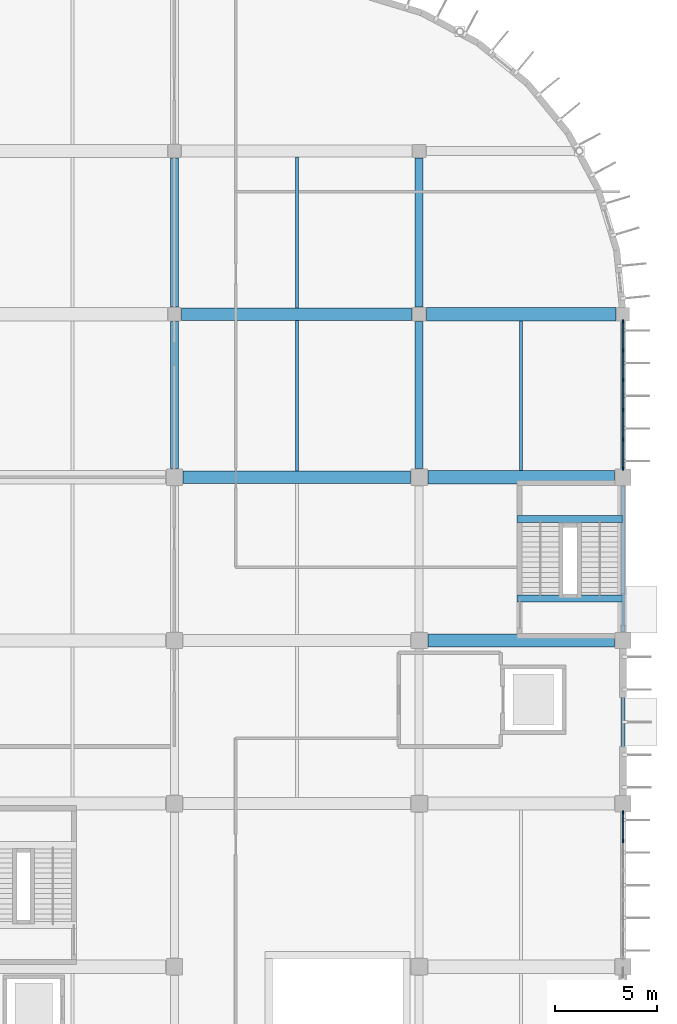
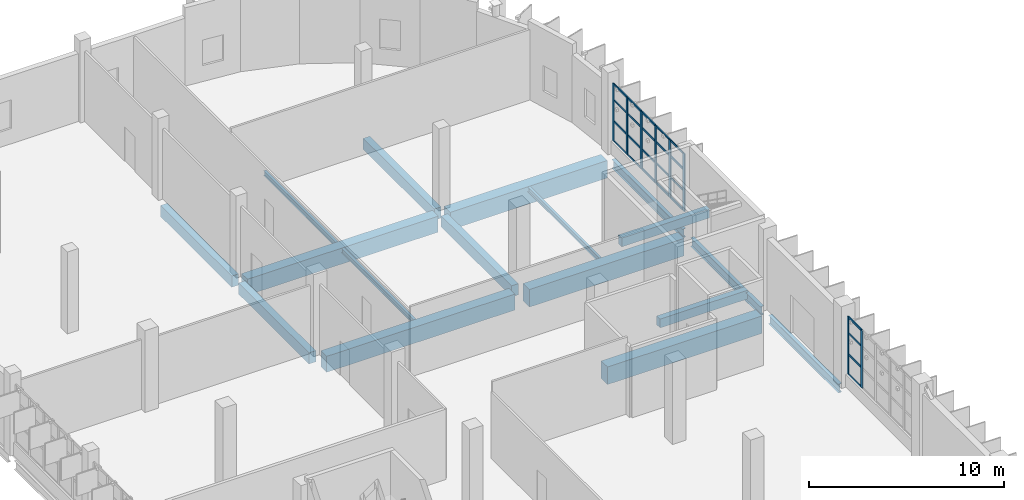
# One storey, part 50 of 103: 32 members, 17 beams, 2 elements without a shape of their own.
"""IFC4 building model written with IfcOpenShell, lengths in metres."""

from ifc_helpers import new_model, si_unit, direction, frame, origin, origin_2d, place, context, subcontext, project, spatial, rectangle, i_section, extrude, material, layer, layer_set, material_profile, profile_set, type_object, element, aggregate, save


model = new_model("IFC4")

# Units and contexts
model_context = context("Model", 3, precision=1e-05, world=origin(), true_north=direction((0.0, 1.0)))
body_context = subcontext(model_context, "Body", "Model", "MODEL_VIEW")
ifc_project = project(units=[si_unit("LENGTHUNIT", "METRE"), si_unit("AREAUNIT", "SQUARE_METRE"), si_unit("VOLUMEUNIT", "CUBIC_METRE"), si_unit("PLANEANGLEUNIT", "RADIAN"), si_unit("MASSUNIT", "GRAM", prefix="KILO")], contexts=[model_context])

# Site, building, storey
site_placement = place(None, origin())
site = spatial("IfcSite", under=ifc_project, at=site_placement, CompositionType="ELEMENT")
building_placement = place(site_placement, origin())
building = spatial("IfcBuilding", under=site, at=building_placement, Name="Drelvana Railside Aquatics Centre", CompositionType="ELEMENT")
storey_placement = place(building_placement, origin())
storey = spatial("IfcBuildingStorey", under=building, at=storey_placement, Name="L00", CompositionType="ELEMENT", Elevation=0.0)

# Curtain wall, members
ifc_material_1 = material(Name="Bronze-anodised aluminium curtain wall", Category="aluminium")
ifc_layer = layer(ifc_material_1, 0.175048828125, Name="Bronze-anodised aluminium curtain wall")
ifc_layer_set = layer_set([ifc_layer], Name="Bronze-anodised aluminium curtain wall")
curtain_wall_type = type_object("IfcCurtainWallType", Name="CW-Z6-WING", PredefinedType="NOTDEFINED", material=ifc_layer_set)
curtain_wall_1_placement = place(storey_placement, origin())
curtain_wall_1 = element("IfcCurtainWall", 1, at=curtain_wall_1_placement, inside=storey, type_object=curtain_wall_type, Name="Curtain wall CW-06-175", PredefinedType="NOTDEFINED")
ifc_material_2 = material(Name="Bronze-anodised aluminium 6063-T6", Category="aluminium")
ifc_material_profile_1 = material_profile(ifc_material_2, rectangle(XDim=0.06494140625, YDim=0.175048828125, at=origin_2d()), Name="ALU-M 65x175")
ifc_profile_set_1 = profile_set([ifc_material_profile_1], Name="Bronze-anodised aluminium 6063-T6")
member_type_1 = type_object("IfcMemberType", Name="CW-Z6-WING-MUL", PredefinedType="MULLION", material=ifc_profile_set_1)
member_1_placement = place(storey_placement, frame((184.0, 62.16357421875, 0.7939453125), z_axis=(0.0, 0.0, 1.0), x_axis=(-1.0, 0.0, 0.0)))
member_1 = element("IfcMember", 2, at=member_1_placement, type_object=member_type_1, Name="CW-06 mullion 5", PredefinedType="MULLION", context=body_context, shape_type="SweptSolid", body=[
    extrude(rectangle(XDim=0.06494140625, YDim=0.175048828125, at=origin_2d()), origin(), (0.0, 0.0, 1.0), 3.60595703125),
])
member_2_placement = place(storey_placement, frame((184.0, 63.573486328125, 0.7939453125), z_axis=(0.0, 0.0, 1.0), x_axis=(-1.0, 0.0, 0.0)))
member_2 = element("IfcMember", 3, at=member_2_placement, type_object=member_type_1, Name="CW-06 mullion 6", PredefinedType="MULLION", context=body_context, shape_type="SweptSolid", body=[
    extrude(rectangle(XDim=0.06494140625, YDim=0.175048828125, at=origin_2d()), origin(), (0.0, 0.0, 1.0), 3.60595703125),
])

curtain_wall_2_placement = place(storey_placement, origin())
curtain_wall_2 = element("IfcCurtainWall", 4, at=curtain_wall_2_placement, inside=storey, type_object=curtain_wall_type, Name="Curtain wall CW-06-184", PredefinedType="NOTDEFINED")
member_3_placement = place(storey_placement, frame((184.0, 80.426513671875, 0.7939453125), z_axis=(0.0, 0.0, 1.0), x_axis=(-1.0, 0.0, 0.0)))
member_3 = element("IfcMember", 5, at=member_3_placement, type_object=member_type_1, Name="CW-06 mullion 1", PredefinedType="MULLION", context=body_context, shape_type="SweptSolid", body=[
    extrude(rectangle(XDim=0.06494140625, YDim=0.175048828125, at=origin_2d()), origin(), (0.0, 0.0, 1.0), 3.60595703125),
])
member_4_placement = place(storey_placement, frame((184.0, 81.851318359375, 0.7939453125), z_axis=(0.0, 0.0, 1.0), x_axis=(-1.0, 0.0, 0.0)))
member_4 = element("IfcMember", 6, at=member_4_placement, type_object=member_type_1, Name="CW-06 mullion 2", PredefinedType="MULLION", context=body_context, shape_type="SweptSolid", body=[
    extrude(rectangle(XDim=0.06494140625, YDim=0.175048828125, at=origin_2d()), origin(), (0.0, 0.0, 1.0), 3.60595703125),
])
member_5_placement = place(storey_placement, frame((184.0, 83.308837890625, 0.7939453125), z_axis=(0.0, 0.0, 1.0), x_axis=(-1.0, 0.0, 0.0)))
member_5 = element("IfcMember", 7, at=member_5_placement, type_object=member_type_1, Name="CW-06 mullion 3", PredefinedType="MULLION", context=body_context, shape_type="SweptSolid", body=[
    extrude(rectangle(XDim=0.06494140625, YDim=0.175048828125, at=origin_2d()), origin(), (0.0, 0.0, 1.0), 3.60595703125),
])
member_6_placement = place(storey_placement, frame((184.0, 84.76611328125, 0.7939453125), z_axis=(0.0, 0.0, 1.0), x_axis=(-1.0, 0.0, 0.0)))
member_6 = element("IfcMember", 8, at=member_6_placement, type_object=member_type_1, Name="CW-06 mullion 4", PredefinedType="MULLION", context=body_context, shape_type="SweptSolid", body=[
    extrude(rectangle(XDim=0.06494140625, YDim=0.175048828125, at=origin_2d()), origin(), (0.0, 0.0, 1.0), 3.60595703125),
])
member_7_placement = place(storey_placement, frame((184.0, 86.2236328125, 0.7939453125), z_axis=(0.0, 0.0, 1.0), x_axis=(-1.0, 0.0, 0.0)))
member_7 = element("IfcMember", 9, at=member_7_placement, type_object=member_type_1, Name="CW-06 mullion 5", PredefinedType="MULLION", context=body_context, shape_type="SweptSolid", body=[
    extrude(rectangle(XDim=0.06494140625, YDim=0.175048828125, at=origin_2d()), origin(), (0.0, 0.0, 1.0), 3.60595703125),
])
member_8_placement = place(storey_placement, frame((184.0, 87.6484375, 0.7939453125), z_axis=(0.0, 0.0, 1.0), x_axis=(-1.0, 0.0, 0.0)))
member_8 = element("IfcMember", 10, at=member_8_placement, type_object=member_type_1, Name="CW-06 mullion 6", PredefinedType="MULLION", context=body_context, shape_type="SweptSolid", body=[
    extrude(rectangle(XDim=0.06494140625, YDim=0.175048828125, at=origin_2d()), origin(), (0.0, 0.0, 1.0), 3.60595703125),
])

# Member
ifc_material_profile_2 = material_profile(ifc_material_2, rectangle(XDim=0.1201171875, YDim=0.06005859375, at=origin_2d()), Name="ALU-T 60x120")
ifc_profile_set_2 = profile_set([ifc_material_profile_2], Name="Bronze-anodised aluminium 6063-T6")
member_type_2 = type_object("IfcMemberType", Name="CW-Z6-WING-TRN", PredefinedType="USERDEFINED", material=ifc_profile_set_2)
member_9_placement = place(storey_placement, frame((184.0, 62.191162109375, 0.823974609375), z_axis=(0.0, 1.0, 0.0), x_axis=(0.0, 0.0, 1.0)))
member_9 = element("IfcMember", 11, at=member_9_placement, type_object=member_type_2, Name="CW-06 transom 5.1", ObjectType="TRANSOM", PredefinedType="USERDEFINED", context=body_context, shape_type="SweptSolid", body=[
    extrude(rectangle(XDim=0.1201171875, YDim=0.06005859375, at=origin_2d()), origin(), (0.0, 0.0, 1.0), 1.354736328125),
])

member_10_placement = place(storey_placement, frame((184.0, 62.191162109375, 2.055908203125), z_axis=(0.0, 1.0, 0.0), x_axis=(0.0, 0.0, 1.0)))
member_10 = element("IfcMember", 12, at=member_10_placement, type_object=member_type_2, Name="CW-06 transom 5.2", ObjectType="TRANSOM", PredefinedType="USERDEFINED", context=body_context, shape_type="SweptSolid", body=[
    extrude(rectangle(XDim=0.1201171875, YDim=0.06005859375, at=origin_2d()), origin(), (0.0, 0.0, 1.0), 1.354736328125),
])

member_11_placement = place(storey_placement, frame((184.0, 62.191162109375, 3.389892578125), z_axis=(0.0, 1.0, 0.0), x_axis=(0.0, 0.0, 1.0)))
member_11 = element("IfcMember", 13, at=member_11_placement, type_object=member_type_2, Name="CW-06 transom 5.3", ObjectType="TRANSOM", PredefinedType="USERDEFINED", context=body_context, shape_type="SweptSolid", body=[
    extrude(rectangle(XDim=0.1201171875, YDim=0.06005859375, at=origin_2d()), origin(), (0.0, 0.0, 1.0), 1.354736328125),
])

member_12_placement = place(storey_placement, frame((184.0, 62.191162109375, 4.3701171875), z_axis=(0.0, 1.0, 0.0), x_axis=(0.0, 0.0, 1.0)))
member_12 = element("IfcMember", 14, at=member_12_placement, type_object=member_type_2, Name="CW-06 transom 5.4", ObjectType="TRANSOM", PredefinedType="USERDEFINED", context=body_context, shape_type="SweptSolid", body=[
    extrude(rectangle(XDim=0.1201171875, YDim=0.06005859375, at=origin_2d()), origin(), (0.0, 0.0, 1.0), 1.354736328125),
])

aggregate(curtain_wall_1, [member_1, member_2, member_9, member_10, member_11, member_12])

member_13_placement = place(storey_placement, frame((184.0, 80.4541015625, 0.823974609375), z_axis=(0.0, 1.0, 0.0), x_axis=(0.0, 0.0, 1.0)))
member_13 = element("IfcMember", 15, at=member_13_placement, type_object=member_type_2, Name="CW-06 transom 1.1", ObjectType="TRANSOM", PredefinedType="USERDEFINED", context=body_context, shape_type="SweptSolid", body=[
    extrude(rectangle(XDim=0.1201171875, YDim=0.06005859375, at=origin_2d()), origin(), (0.0, 0.0, 1.0), 1.369873046875),
])

member_14_placement = place(storey_placement, frame((184.0, 80.4541015625, 2.055908203125), z_axis=(0.0, 1.0, 0.0), x_axis=(0.0, 0.0, 1.0)))
member_14 = element("IfcMember", 16, at=member_14_placement, type_object=member_type_2, Name="CW-06 transom 1.2", ObjectType="TRANSOM", PredefinedType="USERDEFINED", context=body_context, shape_type="SweptSolid", body=[
    extrude(rectangle(XDim=0.1201171875, YDim=0.06005859375, at=origin_2d()), origin(), (0.0, 0.0, 1.0), 1.369873046875),
])

member_15_placement = place(storey_placement, frame((184.0, 80.4541015625, 3.389892578125), z_axis=(0.0, 1.0, 0.0), x_axis=(0.0, 0.0, 1.0)))
member_15 = element("IfcMember", 17, at=member_15_placement, type_object=member_type_2, Name="CW-06 transom 1.3", ObjectType="TRANSOM", PredefinedType="USERDEFINED", context=body_context, shape_type="SweptSolid", body=[
    extrude(rectangle(XDim=0.1201171875, YDim=0.06005859375, at=origin_2d()), origin(), (0.0, 0.0, 1.0), 1.369873046875),
])

member_16_placement = place(storey_placement, frame((184.0, 80.4541015625, 4.3701171875), z_axis=(0.0, 1.0, 0.0), x_axis=(0.0, 0.0, 1.0)))
member_16 = element("IfcMember", 18, at=member_16_placement, type_object=member_type_2, Name="CW-06 transom 1.4", ObjectType="TRANSOM", PredefinedType="USERDEFINED", context=body_context, shape_type="SweptSolid", body=[
    extrude(rectangle(XDim=0.1201171875, YDim=0.06005859375, at=origin_2d()), origin(), (0.0, 0.0, 1.0), 1.369873046875),
])

member_17_placement = place(storey_placement, frame((184.0, 81.87890625, 0.823974609375), z_axis=(0.0, 1.0, 0.0), x_axis=(0.0, 0.0, 1.0)))
member_17 = element("IfcMember", 19, at=member_17_placement, type_object=member_type_2, Name="CW-06 transom 2.1", ObjectType="TRANSOM", PredefinedType="USERDEFINED", context=body_context, shape_type="SweptSolid", body=[
    extrude(rectangle(XDim=0.1201171875, YDim=0.06005859375, at=origin_2d()), origin(), (0.0, 0.0, 1.0), 1.40234375),
])

member_18_placement = place(storey_placement, frame((184.0, 81.87890625, 2.055908203125), z_axis=(0.0, 1.0, 0.0), x_axis=(0.0, 0.0, 1.0)))
member_18 = element("IfcMember", 20, at=member_18_placement, type_object=member_type_2, Name="CW-06 transom 2.2", ObjectType="TRANSOM", PredefinedType="USERDEFINED", context=body_context, shape_type="SweptSolid", body=[
    extrude(rectangle(XDim=0.1201171875, YDim=0.06005859375, at=origin_2d()), origin(), (0.0, 0.0, 1.0), 1.40234375),
])

member_19_placement = place(storey_placement, frame((184.0, 81.87890625, 3.389892578125), z_axis=(0.0, 1.0, 0.0), x_axis=(0.0, 0.0, 1.0)))
member_19 = element("IfcMember", 21, at=member_19_placement, type_object=member_type_2, Name="CW-06 transom 2.3", ObjectType="TRANSOM", PredefinedType="USERDEFINED", context=body_context, shape_type="SweptSolid", body=[
    extrude(rectangle(XDim=0.1201171875, YDim=0.06005859375, at=origin_2d()), origin(), (0.0, 0.0, 1.0), 1.40234375),
])

member_20_placement = place(storey_placement, frame((184.0, 81.87890625, 4.3701171875), z_axis=(0.0, 1.0, 0.0), x_axis=(0.0, 0.0, 1.0)))
member_20 = element("IfcMember", 22, at=member_20_placement, type_object=member_type_2, Name="CW-06 transom 2.4", ObjectType="TRANSOM", PredefinedType="USERDEFINED", context=body_context, shape_type="SweptSolid", body=[
    extrude(rectangle(XDim=0.1201171875, YDim=0.06005859375, at=origin_2d()), origin(), (0.0, 0.0, 1.0), 1.40234375),
])

member_21_placement = place(storey_placement, frame((184.0, 83.336181640625, 0.823974609375), z_axis=(0.0, 1.0, 0.0), x_axis=(0.0, 0.0, 1.0)))
member_21 = element("IfcMember", 23, at=member_21_placement, type_object=member_type_2, Name="CW-06 transom 3.1", ObjectType="TRANSOM", PredefinedType="USERDEFINED", context=body_context, shape_type="SweptSolid", body=[
    extrude(rectangle(XDim=0.1201171875, YDim=0.06005859375, at=origin_2d()), origin(), (0.0, 0.0, 1.0), 1.402587890625),
])

member_22_placement = place(storey_placement, frame((184.0, 83.336181640625, 2.055908203125), z_axis=(0.0, 1.0, 0.0), x_axis=(0.0, 0.0, 1.0)))
member_22 = element("IfcMember", 24, at=member_22_placement, type_object=member_type_2, Name="CW-06 transom 3.2", ObjectType="TRANSOM", PredefinedType="USERDEFINED", context=body_context, shape_type="SweptSolid", body=[
    extrude(rectangle(XDim=0.1201171875, YDim=0.06005859375, at=origin_2d()), origin(), (0.0, 0.0, 1.0), 1.402587890625),
])

member_23_placement = place(storey_placement, frame((184.0, 83.336181640625, 3.389892578125), z_axis=(0.0, 1.0, 0.0), x_axis=(0.0, 0.0, 1.0)))
member_23 = element("IfcMember", 25, at=member_23_placement, type_object=member_type_2, Name="CW-06 transom 3.3", ObjectType="TRANSOM", PredefinedType="USERDEFINED", context=body_context, shape_type="SweptSolid", body=[
    extrude(rectangle(XDim=0.1201171875, YDim=0.06005859375, at=origin_2d()), origin(), (0.0, 0.0, 1.0), 1.402587890625),
])

member_24_placement = place(storey_placement, frame((184.0, 83.336181640625, 4.3701171875), z_axis=(0.0, 1.0, 0.0), x_axis=(0.0, 0.0, 1.0)))
member_24 = element("IfcMember", 26, at=member_24_placement, type_object=member_type_2, Name="CW-06 transom 3.4", ObjectType="TRANSOM", PredefinedType="USERDEFINED", context=body_context, shape_type="SweptSolid", body=[
    extrude(rectangle(XDim=0.1201171875, YDim=0.06005859375, at=origin_2d()), origin(), (0.0, 0.0, 1.0), 1.402587890625),
])

member_25_placement = place(storey_placement, frame((184.0, 84.793701171875, 0.823974609375), z_axis=(0.0, 1.0, 0.0), x_axis=(0.0, 0.0, 1.0)))
member_25 = element("IfcMember", 27, at=member_25_placement, type_object=member_type_2, Name="CW-06 transom 4.1", ObjectType="TRANSOM", PredefinedType="USERDEFINED", context=body_context, shape_type="SweptSolid", body=[
    extrude(rectangle(XDim=0.1201171875, YDim=0.06005859375, at=origin_2d()), origin(), (0.0, 0.0, 1.0), 1.40234375),
])

member_26_placement = place(storey_placement, frame((184.0, 84.793701171875, 2.055908203125), z_axis=(0.0, 1.0, 0.0), x_axis=(0.0, 0.0, 1.0)))
member_26 = element("IfcMember", 28, at=member_26_placement, type_object=member_type_2, Name="CW-06 transom 4.2", ObjectType="TRANSOM", PredefinedType="USERDEFINED", context=body_context, shape_type="SweptSolid", body=[
    extrude(rectangle(XDim=0.1201171875, YDim=0.06005859375, at=origin_2d()), origin(), (0.0, 0.0, 1.0), 1.40234375),
])

member_27_placement = place(storey_placement, frame((184.0, 84.793701171875, 3.389892578125), z_axis=(0.0, 1.0, 0.0), x_axis=(0.0, 0.0, 1.0)))
member_27 = element("IfcMember", 29, at=member_27_placement, type_object=member_type_2, Name="CW-06 transom 4.3", ObjectType="TRANSOM", PredefinedType="USERDEFINED", context=body_context, shape_type="SweptSolid", body=[
    extrude(rectangle(XDim=0.1201171875, YDim=0.06005859375, at=origin_2d()), origin(), (0.0, 0.0, 1.0), 1.40234375),
])

member_28_placement = place(storey_placement, frame((184.0, 84.793701171875, 4.3701171875), z_axis=(0.0, 1.0, 0.0), x_axis=(0.0, 0.0, 1.0)))
member_28 = element("IfcMember", 30, at=member_28_placement, type_object=member_type_2, Name="CW-06 transom 4.4", ObjectType="TRANSOM", PredefinedType="USERDEFINED", context=body_context, shape_type="SweptSolid", body=[
    extrude(rectangle(XDim=0.1201171875, YDim=0.06005859375, at=origin_2d()), origin(), (0.0, 0.0, 1.0), 1.40234375),
])

member_29_placement = place(storey_placement, frame((184.0, 86.251220703125, 0.823974609375), z_axis=(0.0, 1.0, 0.0), x_axis=(0.0, 0.0, 1.0)))
member_29 = element("IfcMember", 31, at=member_29_placement, type_object=member_type_2, Name="CW-06 transom 5.1", ObjectType="TRANSOM", PredefinedType="USERDEFINED", context=body_context, shape_type="SweptSolid", body=[
    extrude(rectangle(XDim=0.1201171875, YDim=0.06005859375, at=origin_2d()), origin(), (0.0, 0.0, 1.0), 1.369873046875),
])

member_30_placement = place(storey_placement, frame((184.0, 86.251220703125, 2.055908203125), z_axis=(0.0, 1.0, 0.0), x_axis=(0.0, 0.0, 1.0)))
member_30 = element("IfcMember", 32, at=member_30_placement, type_object=member_type_2, Name="CW-06 transom 5.2", ObjectType="TRANSOM", PredefinedType="USERDEFINED", context=body_context, shape_type="SweptSolid", body=[
    extrude(rectangle(XDim=0.1201171875, YDim=0.06005859375, at=origin_2d()), origin(), (0.0, 0.0, 1.0), 1.369873046875),
])

member_31_placement = place(storey_placement, frame((184.0, 86.251220703125, 3.389892578125), z_axis=(0.0, 1.0, 0.0), x_axis=(0.0, 0.0, 1.0)))
member_31 = element("IfcMember", 33, at=member_31_placement, type_object=member_type_2, Name="CW-06 transom 5.3", ObjectType="TRANSOM", PredefinedType="USERDEFINED", context=body_context, shape_type="SweptSolid", body=[
    extrude(rectangle(XDim=0.1201171875, YDim=0.06005859375, at=origin_2d()), origin(), (0.0, 0.0, 1.0), 1.369873046875),
])

member_32_placement = place(storey_placement, frame((184.0, 86.251220703125, 4.3701171875), z_axis=(0.0, 1.0, 0.0), x_axis=(0.0, 0.0, 1.0)))
member_32 = element("IfcMember", 34, at=member_32_placement, type_object=member_type_2, Name="CW-06 transom 5.4", ObjectType="TRANSOM", PredefinedType="USERDEFINED", context=body_context, shape_type="SweptSolid", body=[
    extrude(rectangle(XDim=0.1201171875, YDim=0.06005859375, at=origin_2d()), origin(), (0.0, 0.0, 1.0), 1.369873046875),
])

aggregate(curtain_wall_2, [member_3, member_4, member_5, member_6, member_7, member_8, member_13, member_14, member_15, member_16, member_17, member_18, member_19, member_20, member_21, member_22, member_23, member_24, member_25, member_26, member_27, member_28, member_29, member_30, member_31, member_32])

# Beams
ifc_material_3 = material(Name="Concrete C40/50", Category="concrete")
ifc_material_profile_3 = material_profile(ifc_material_3, rectangle(XDim=0.35009765625, YDim=0.550048828125, at=origin_2d()), Name="RC 350x550")
ifc_profile_set_3 = profile_set([ifc_material_profile_3], Name="Concrete C40/50")
beam_type_1 = type_object("IfcBeamType", Name="STR-BM-BM-01-RC-350x550", PredefinedType="BEAM", material=ifc_profile_set_3)
for number, where, z_axis, x_axis, name in (
    (35, (178.800048828125, 74.050048828125, -0.47509765625), (1.0, 0.0, 0.0), (0.0, 1.0, 0.0), "Stair ST-07 L00 landing beam"),
    (36, (178.800048828125, 77.9599609375, 2.22509765625), (1.0, 0.0, 0.0), (0.0, 1.0, 0.0), "Stair ST-07 L00 mid-landing beam"),
):
    element("IfcBeam", number, at=place(storey_placement, frame(where, z_axis=z_axis, x_axis=x_axis)), inside=storey, type_object=beam_type_1, Name=name, PredefinedType="BEAM", context=body_context, shape_type="SweptSolid", body=[
        extrude(rectangle(XDim=0.35009765625, YDim=0.550048828125, at=origin_2d()), origin(), (0.0, 0.0, 1.0), 5.199951171875),
    ])
ifc_material_profile_4 = material_profile(ifc_material_3, rectangle(XDim=0.39990234375, YDim=0.699951171875, at=origin_2d()), Name="RC 400x700")
ifc_profile_set_4 = profile_set([ifc_material_profile_4], Name="Concrete C40/50")
beam_type_2 = type_object("IfcBeamType", Name="STR-BM-BM-03-RC-400x700", PredefinedType="BEAM", material=ifc_profile_set_4)
beam_1_placement = place(storey_placement, frame((162.0, 80.425048828125, -0.679931640625), z_axis=(0.0, 1.0, 0.0), x_axis=(-1.0, 0.0, 0.0)))
element("IfcBeam", 37, at=beam_1_placement, inside=storey, type_object=beam_type_2, Name="Girder BM-03 (L00)", PredefinedType="BEAM", context=body_context, shape_type="SweptSolid", body=[
    extrude(rectangle(XDim=0.39990234375, YDim=0.699951171875, at=origin_2d()), origin(), (0.0, 0.0, 1.0), 7.224853515625),
])
beam_2_placement = place(storey_placement, frame((162.0, 88.35009765625, -0.679931640625), z_axis=(0.0, 1.0, 0.0), x_axis=(-1.0, 0.0, 0.0)))
element("IfcBeam", 38, at=beam_2_placement, inside=storey, type_object=beam_type_2, Name="Girder BM-03 (L00)", PredefinedType="BEAM", context=body_context, shape_type="SweptSolid", body=[
    extrude(rectangle(XDim=0.39990234375, YDim=0.699951171875, at=origin_2d()), origin(), (0.0, 0.0, 1.0), 7.2998046875),
])
beam_3_placement = place(storey_placement, frame((174.0, 80.425048828125, -0.679931640625), z_axis=(0.0, 1.0, 0.0), x_axis=(-1.0, 0.0, 0.0)))
element("IfcBeam", 39, at=beam_3_placement, inside=storey, type_object=beam_type_2, Name="Girder BM-03 (L00)", PredefinedType="BEAM", context=body_context, shape_type="SweptSolid", body=[
    extrude(rectangle(XDim=0.39990234375, YDim=0.699951171875, at=origin_2d()), origin(), (0.0, 0.0, 1.0), 7.224853515625),
])
beam_4_placement = place(storey_placement, frame((174.0, 88.35009765625, -0.679931640625), z_axis=(0.0, 1.0, 0.0), x_axis=(-1.0, 0.0, 0.0)))
element("IfcBeam", 40, at=beam_4_placement, inside=storey, type_object=beam_type_2, Name="Girder BM-03 (L00)", PredefinedType="BEAM", context=body_context, shape_type="SweptSolid", body=[
    extrude(rectangle(XDim=0.39990234375, YDim=0.699951171875, at=origin_2d()), origin(), (0.0, 0.0, 1.0), 7.2998046875),
])
ifc_material_profile_5 = material_profile(ifc_material_3, rectangle(XDim=0.60009765625, YDim=1.0, at=origin_2d()), Name="RC 600x1000")
ifc_profile_set_5 = profile_set([ifc_material_profile_5], Name="Concrete C40/50")
beam_type_3 = type_object("IfcBeamType", Name="STR-BM-BM-09-RC-600x1000", PredefinedType="BEAM", material=ifc_profile_set_5)
beam_5_placement = place(storey_placement, frame((162.425048828125, 80.0, -0.830078125), z_axis=(1.0, 0.0, 0.0), x_axis=(0.0, 1.0, 0.0)))
element("IfcBeam", 41, at=beam_5_placement, inside=storey, type_object=beam_type_3, Name="Girder BM-09 (L00)", PredefinedType="BEAM", context=body_context, shape_type="SweptSolid", body=[
    extrude(rectangle(XDim=0.60009765625, YDim=1.0, at=origin_2d()), origin(), (0.0, 0.0, 1.0), 11.14990234375),
])
beam_6_placement = place(storey_placement, frame((162.35009765625, 88.0, -0.830078125), z_axis=(1.0, 0.0, 0.0), x_axis=(0.0, 1.0, 0.0)))
element("IfcBeam", 42, at=beam_6_placement, inside=storey, type_object=beam_type_3, Name="Girder BM-09 (L00)", PredefinedType="BEAM", context=body_context, shape_type="SweptSolid", body=[
    extrude(rectangle(XDim=0.60009765625, YDim=1.0, at=origin_2d()), origin(), (0.0, 0.0, 1.0), 11.2998046875),
])
ifc_material_profile_6 = material_profile(ifc_material_3, rectangle(XDim=0.64990234375, YDim=1.10009765625, at=origin_2d()), Name="RC 650x1100")
ifc_profile_set_6 = profile_set([ifc_material_profile_6], Name="Concrete C40/50")
beam_type_4 = type_object("IfcBeamType", Name="STR-BM-BM-10-RC-650x1100", PredefinedType="BEAM", material=ifc_profile_set_6)
for number, where, z_axis, x_axis, name in (
    (43, (174.425048828125, 72.0, -0.8798828125), (1.0, 0.0, 0.0), (0.0, 1.0, 0.0), "Girder BM-10 (L00)"),
    (44, (174.425048828125, 80.0, -0.8798828125), (1.0, 0.0, 0.0), (0.0, 1.0, 0.0), "Girder BM-10 (L00)"),
):
    element("IfcBeam", number, at=place(storey_placement, frame(where, z_axis=z_axis, x_axis=x_axis)), inside=storey, type_object=beam_type_4, Name=name, PredefinedType="BEAM", context=body_context, shape_type="SweptSolid", body=[
        extrude(rectangle(XDim=0.64990234375, YDim=1.10009765625, at=origin_2d()), origin(), (0.0, 0.0, 1.0), 9.14990234375),
    ])
beam_7_placement = place(storey_placement, frame((174.35009765625, 88.0, -0.8798828125), z_axis=(1.0, 0.0, 0.0), x_axis=(0.0, 1.0, 0.0)))
element("IfcBeam", 45, at=beam_7_placement, inside=storey, type_object=beam_type_4, Name="Girder BM-10 (L00)", PredefinedType="BEAM", context=body_context, shape_type="SweptSolid", body=[
    extrude(rectangle(XDim=0.64990234375, YDim=1.10009765625, at=origin_2d()), origin(), (0.0, 0.0, 1.0), 9.2998046875),
])
ifc_material_4 = material(Name="Structural steel S355", Category="steel")
ifc_material_profile_7 = material_profile(ifc_material_4, i_section(OverallWidth=0.2099609375, OverallDepth=0.550048828125, WebThickness=0.010986328125, FlangeThickness=0.01708984375, at=origin_2d()), Name="IPE 550")
ifc_profile_set_7 = profile_set([ifc_material_profile_7], Name="Structural steel S355")
beam_type_5 = type_object("IfcBeamType", Name="STR-SBM-SB-04-IPE-550", PredefinedType="SPANDREL", material=ifc_profile_set_7)
for number, where, z_axis, x_axis, name in (
    (46, (184.0, 64.425048828125, -0.60498046875), (0.0, 1.0, 0.0), (-1.0, 0.0, 0.0), "Girder SB-04 (L00)"),
    (47, (184.0, 72.425048828125, -0.60498046875), (0.0, 1.0, 0.0), (-1.0, 0.0, 0.0), "Girder SB-04 (L00)"),
):
    element("IfcBeam", number, at=place(storey_placement, frame(where, z_axis=z_axis, x_axis=x_axis)), inside=storey, type_object=beam_type_5, Name=name, PredefinedType="SPANDREL", context=body_context, shape_type="SweptSolid", body=[
        extrude(i_section(OverallWidth=0.2099609375, OverallDepth=0.550048828125, WebThickness=0.010986328125, FlangeThickness=0.01708984375, at=origin_2d()), origin(), (0.0, 0.0, 1.0), 7.14990234375),
    ])
beam_8_placement = place(storey_placement, frame((184.0, 80.425048828125, -0.60498046875), z_axis=(0.0, 1.0, 0.0), x_axis=(-1.0, 0.0, 0.0)))
element("IfcBeam", 48, at=beam_8_placement, inside=storey, type_object=beam_type_5, Name="Girder SB-04 (L00)", PredefinedType="SPANDREL", context=body_context, shape_type="SweptSolid", body=[
    extrude(i_section(OverallWidth=0.2099609375, OverallDepth=0.550048828125, WebThickness=0.010986328125, FlangeThickness=0.01708984375, at=origin_2d()), origin(), (0.0, 0.0, 1.0), 7.224853515625),
])
ifc_material_profile_8 = material_profile(ifc_material_4, i_section(OverallWidth=0.14990234375, OverallDepth=0.300048828125, WebThickness=0.007080078125, FlangeThickness=0.0107421875, at=origin_2d()), Name="IPE 300")
ifc_profile_set_8 = profile_set([ifc_material_profile_8], Name="Structural steel S355")
beam_type_6 = type_object("IfcBeamType", Name="STR-SBM-SJ-03-IPE-300", PredefinedType="JOIST", material=ifc_profile_set_8)
for number, where, z_axis, x_axis, name in (
    (49, (168.0, 80.300048828125, -0.47998046875), (0.0, 1.0, 0.0), (-1.0, 0.0, 0.0), "Secondary floor joist SJ-03 (L00)"),
    (50, (168.0, 88.300048828125, -0.47998046875), (0.0, 1.0, 0.0), (-1.0, 0.0, 0.0), "Secondary floor joist SJ-03 (L00)"),
):
    element("IfcBeam", number, at=place(storey_placement, frame(where, z_axis=z_axis, x_axis=x_axis)), inside=storey, type_object=beam_type_6, Name=name, PredefinedType="JOIST", context=body_context, shape_type="SweptSolid", body=[
        extrude(i_section(OverallWidth=0.14990234375, OverallDepth=0.300048828125, WebThickness=0.007080078125, FlangeThickness=0.0107421875, at=origin_2d()), origin(), (0.0, 0.0, 1.0), 7.39990234375),
    ])
beam_9_placement = place(storey_placement, frame((179.0, 80.324951171875, -0.47998046875), z_axis=(0.0, 1.0, 0.0), x_axis=(-1.0, 0.0, 0.0)))
element("IfcBeam", 51, at=beam_9_placement, inside=storey, type_object=beam_type_6, Name="Secondary floor joist SJ-03 (L00)", PredefinedType="JOIST", context=body_context, shape_type="SweptSolid", body=[
    extrude(i_section(OverallWidth=0.14990234375, OverallDepth=0.300048828125, WebThickness=0.007080078125, FlangeThickness=0.0107421875, at=origin_2d()), origin(), (0.0, 0.0, 1.0), 7.35009765625),
])

save(model, "model.ifc")
